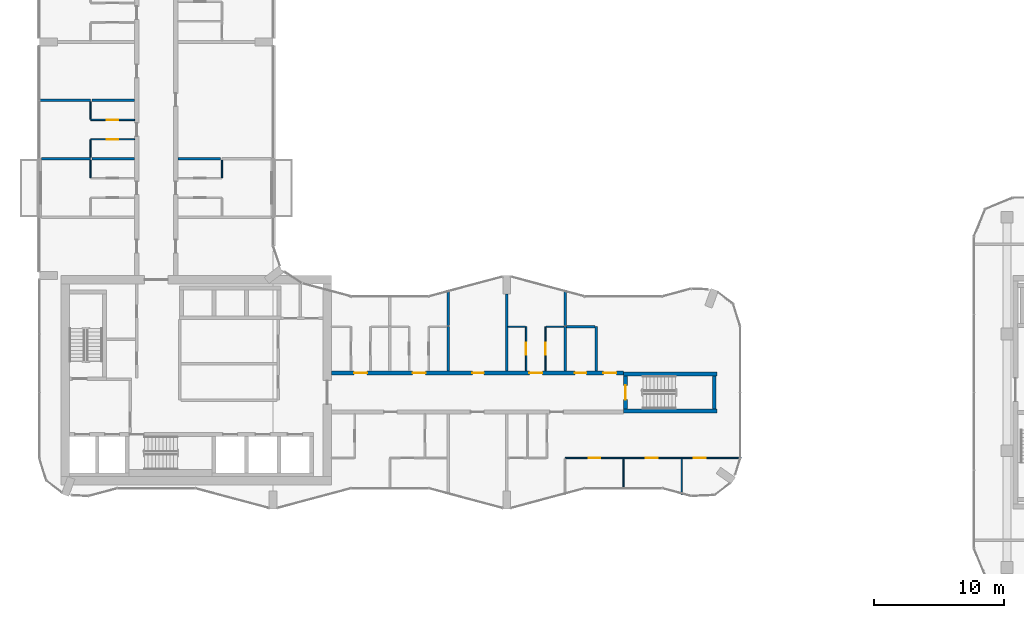
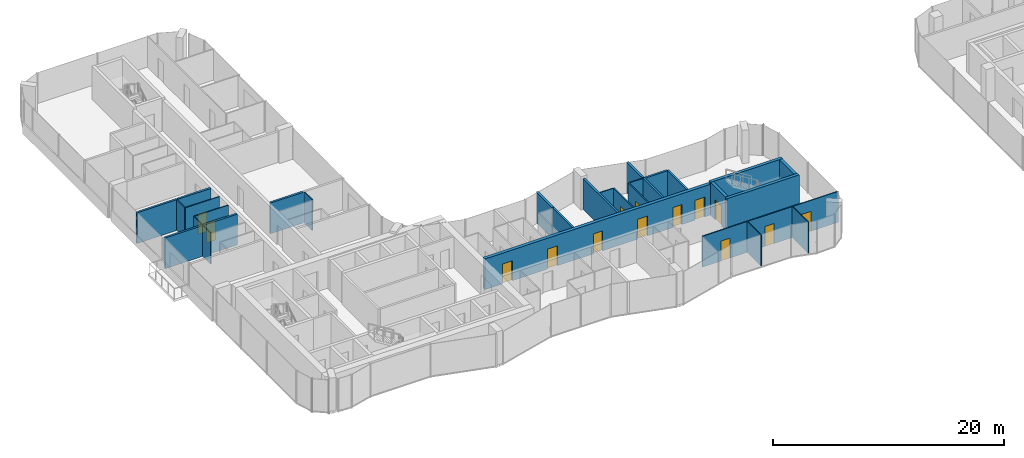
# One storey, part 15 of 22: 30 walls, 14 doors, 14 openings.
"""IFC4 building model written with IfcOpenShell, lengths in metres."""

from ifc_helpers import new_model, si_unit, direction, frame, frame_2d, origin, place, context, subcontext, project, spatial, rectangle, extrude, material, layer, layer_set, type_object, element, fill, save


model = new_model("IFC4")

# Units and contexts
model_context = context("Model", 3, precision=1e-05, world=origin(), true_north=direction((0.0, 1.0)))
body_context = subcontext(model_context, "Body", "Model", "MODEL_VIEW")
ifc_project = project(units=[si_unit("LENGTHUNIT", "METRE"), si_unit("AREAUNIT", "SQUARE_METRE"), si_unit("VOLUMEUNIT", "CUBIC_METRE"), si_unit("PLANEANGLEUNIT", "RADIAN"), si_unit("MASSUNIT", "GRAM", prefix="KILO")], contexts=[model_context])

# Site, building, storey
site_placement = place(None, origin())
site = spatial("IfcSite", under=ifc_project, at=site_placement, CompositionType="ELEMENT")
building_placement = place(site_placement, origin())
building = spatial("IfcBuilding", under=site, at=building_placement, Name="Plateau Cross Towers", CompositionType="ELEMENT")
storey_placement = place(building_placement, frame((0.0, 0.0, 99.300048828125)))
storey = spatial("IfcBuildingStorey", under=building, at=storey_placement, Name="L25", CompositionType="ELEMENT", Elevation=99.300048828125)

# Wall, openings, doors
ifc_material_1 = material(Name="Concrete C60/75", Category="concrete")
ifc_layer_1 = layer(ifc_material_1, 0.324951171875)
ifc_layer_set_1 = layer_set([ifc_layer_1], Name="Concrete C60/75")
wall_type_1 = type_object("IfcWallType", Name="Corridor wall 325", PredefinedType="SHEAR", material=ifc_layer_set_1)
wall_1_placement = place(storey_placement, frame((22.5, 10.5, 0.0), z_axis=(0.0, 0.0, 1.0), x_axis=(1.0, 0.0, 0.0)))
wall_1 = element("IfcWall", 1, at=wall_1_placement, inside=storey, type_object=wall_type_1, Name="A-cw-S2@L25", PredefinedType="SHEAR", context=body_context, shape_type="SweptSolid", body=[
    extrude(rectangle(XDim=22.5, YDim=0.324951171875, at=frame_2d((11.25, 0.0))), origin(), (0.0, 0.0, 1.0), 3.25),
])
opening_1_placement = place(wall_1_placement, frame((1.75, 0.0, 0.0)))
opening_1 = element("IfcOpeningElement", 2, at=opening_1_placement, cuts=wall_1, Name="Opening 25-04", PredefinedType="OPENING", context=body_context, shape_type="SweptSolid", body=[
    extrude(rectangle(XDim=1.0, YDim=2.10009765625, at=frame_2d((0.5, 1.050048828125))), frame((0.0, 0.17236328125, 0.0), z_axis=(0.0, -1.0, 0.0), x_axis=(1.0, 0.0, 0.0)), (0.0, 0.0, 1.0), 0.344970703125),
])
opening_2_placement = place(wall_1_placement, frame((6.25, 0.0, 0.0)))
opening_2 = element("IfcOpeningElement", 3, at=opening_2_placement, cuts=wall_1, Name="Opening 25-05", PredefinedType="OPENING", context=body_context, shape_type="SweptSolid", body=[
    extrude(rectangle(XDim=1.0, YDim=2.10009765625, at=frame_2d((0.5, 1.050048828125))), frame((0.0, 0.17236328125, 0.0), z_axis=(0.0, -1.0, 0.0), x_axis=(1.0, 0.0, 0.0)), (0.0, 0.0, 1.0), 0.344970703125),
])
opening_3_placement = place(wall_1_placement, frame((10.85009765625, 0.0, 0.0)))
opening_3 = element("IfcOpeningElement", 4, at=opening_3_placement, cuts=wall_1, Name="Opening 25-06", PredefinedType="OPENING", context=body_context, shape_type="SweptSolid", body=[
    extrude(rectangle(XDim=0.89990234375, YDim=2.10009765625, at=frame_2d((0.449951171875, 1.050048828125))), frame((0.0, 0.17236328125, 0.0), z_axis=(0.0, -1.0, 0.0), x_axis=(1.0, 0.0, 0.0)), (0.0, 0.0, 1.0), 0.344970703125),
])
opening_4_placement = place(wall_1_placement, frame((15.25, 0.0, 0.0)))
opening_4 = element("IfcOpeningElement", 5, at=opening_4_placement, cuts=wall_1, Name="Opening 25-07", PredefinedType="OPENING", context=body_context, shape_type="SweptSolid", body=[
    extrude(rectangle(XDim=1.0, YDim=2.10009765625, at=frame_2d((0.5, 1.050048828125))), frame((0.0, 0.17236328125, 0.0), z_axis=(0.0, -1.0, 0.0), x_axis=(1.0, 0.0, 0.0)), (0.0, 0.0, 1.0), 0.344970703125),
])
opening_5_placement = place(wall_1_placement, frame((18.75, 0.0, 0.0)))
opening_5 = element("IfcOpeningElement", 6, at=opening_5_placement, cuts=wall_1, Name="Opening 25-08", PredefinedType="OPENING", context=body_context, shape_type="SweptSolid", body=[
    extrude(rectangle(XDim=0.89990234375, YDim=2.10009765625, at=frame_2d((0.449951171875, 1.050048828125))), frame((0.0, 0.17236328125, 0.0), z_axis=(0.0, -1.0, 0.0), x_axis=(1.0, 0.0, 0.0)), (0.0, 0.0, 1.0), 0.344970703125),
])
opening_6_placement = place(wall_1_placement, frame((20.949951171875, 0.0, 0.0)))
opening_6 = element("IfcOpeningElement", 7, at=opening_6_placement, cuts=wall_1, Name="Opening 25-09", PredefinedType="OPENING", context=body_context, shape_type="SweptSolid", body=[
    extrude(rectangle(XDim=1.0, YDim=2.10009765625, at=frame_2d((0.5, 1.050048828125))), frame((0.0, 0.17236328125, 0.0), z_axis=(0.0, -1.0, 0.0), x_axis=(1.0, 0.0, 0.0)), (0.0, 0.0, 1.0), 0.344970703125),
])
ifc_material_2 = material(Name="Timber, fire-resisting leaf", Category="wood")
door_type_1 = type_object("IfcDoorType", Name="Flat entrance door 1000", OperationType="NOTDEFINED", PredefinedType="DOOR", material=ifc_material_2)
door_1_placement = place(opening_1_placement, origin())
door_1 = element("IfcDoor", 8, at=door_1_placement, inside=storey, type_object=door_type_1, Name="Door 25-04", OperationType="SINGLE_SWING_LEFT", OverallHeight=2.10009765625, OverallWidth=1.0, PredefinedType="DOOR", context=body_context, shape_type="SweptSolid", body=[
    extrude(rectangle(XDim=1.0, YDim=2.10009765625, at=frame_2d((0.5, 1.050048828125))), frame((0.0, 0.02490234375, 0.0), z_axis=(0.0, -1.0, 0.0), x_axis=(1.0, 0.0, 0.0)), (0.0, 0.0, 1.0), 0.050048828125),
])
fill(opening_1, door_1)
door_2_placement = place(opening_2_placement, origin())
door_2 = element("IfcDoor", 9, at=door_2_placement, inside=storey, type_object=door_type_1, Name="Door 25-05", OperationType="SINGLE_SWING_LEFT", OverallHeight=2.10009765625, OverallWidth=1.0, PredefinedType="DOOR", context=body_context, shape_type="SweptSolid", body=[
    extrude(rectangle(XDim=1.0, YDim=2.10009765625, at=frame_2d((0.5, 1.050048828125))), frame((0.0, 0.02490234375, 0.0), z_axis=(0.0, -1.0, 0.0), x_axis=(1.0, 0.0, 0.0)), (0.0, 0.0, 1.0), 0.050048828125),
])
fill(opening_2, door_2)
door_3_placement = place(opening_4_placement, origin())
door_3 = element("IfcDoor", 10, at=door_3_placement, inside=storey, type_object=door_type_1, Name="Door 25-07", OperationType="SINGLE_SWING_RIGHT", OverallHeight=2.10009765625, OverallWidth=1.0, PredefinedType="DOOR", context=body_context, shape_type="SweptSolid", body=[
    extrude(rectangle(XDim=1.0, YDim=2.10009765625, at=frame_2d((0.5, 1.050048828125))), frame((0.0, 0.02490234375, 0.0), z_axis=(0.0, -1.0, 0.0), x_axis=(1.0, 0.0, 0.0)), (0.0, 0.0, 1.0), 0.050048828125),
])
fill(opening_4, door_3)
door_4_placement = place(opening_6_placement, origin())
door_4 = element("IfcDoor", 11, at=door_4_placement, inside=storey, type_object=door_type_1, Name="Door 25-09", OperationType="SINGLE_SWING_RIGHT", OverallHeight=2.10009765625, OverallWidth=1.0, PredefinedType="DOOR", context=body_context, shape_type="SweptSolid", body=[
    extrude(rectangle(XDim=1.0, YDim=2.10009765625, at=frame_2d((0.5, 1.050048828125))), frame((0.0, 0.02490234375, 0.0), z_axis=(0.0, -1.0, 0.0), x_axis=(1.0, 0.0, 0.0)), (0.0, 0.0, 1.0), 0.050048828125),
])
fill(opening_6, door_4)
door_type_2 = type_object("IfcDoorType", Name="Flat floor service door 900", OperationType="NOTDEFINED", PredefinedType="DOOR", material=ifc_material_2)
door_5_placement = place(opening_3_placement, origin())
door_5 = element("IfcDoor", 12, at=door_5_placement, inside=storey, type_object=door_type_2, Name="Door 25-06", OperationType="SINGLE_SWING_RIGHT", OverallHeight=2.10009765625, OverallWidth=0.89990234375, PredefinedType="DOOR", context=body_context, shape_type="SweptSolid", body=[
    extrude(rectangle(XDim=0.89990234375, YDim=2.10009765625, at=frame_2d((0.449951171875, 1.050048828125))), frame((0.0, 0.02490234375, 0.0), z_axis=(0.0, -1.0, 0.0), x_axis=(1.0, 0.0, 0.0)), (0.0, 0.0, 1.0), 0.050048828125),
])
fill(opening_3, door_5)
door_6_placement = place(opening_5_placement, origin())
door_6 = element("IfcDoor", 13, at=door_6_placement, inside=storey, type_object=door_type_2, Name="Door 25-08", OperationType="SINGLE_SWING_RIGHT", OverallHeight=2.10009765625, OverallWidth=0.89990234375, PredefinedType="DOOR", context=body_context, shape_type="SweptSolid", body=[
    extrude(rectangle(XDim=0.89990234375, YDim=2.10009765625, at=frame_2d((0.449951171875, 1.050048828125))), frame((0.0, 0.02490234375, 0.0), z_axis=(0.0, -1.0, 0.0), x_axis=(1.0, 0.0, 0.0)), (0.0, 0.0, 1.0), 0.050048828125),
])
fill(opening_5, door_6)

ifc_material_3 = material(Name="Gypsum board on steel studs", Category="steel")
ifc_layer_2 = layer(ifc_material_3, 0.10009765625)
ifc_layer_set_2 = layer_set([ifc_layer_2], Name="Gypsum board on steel studs")
wall_type_2 = type_object("IfcWallType", Name="Flat partition 100", PredefinedType="PARTITIONING", material=ifc_layer_set_2)
wall_2_placement = place(storey_placement, frame((54.080078125, 3.9375, 0.0), z_axis=(0.0, 0.0, 1.0), x_axis=(-1.0, 0.0, 0.0)))
wall_2 = element("IfcWall", 14, at=wall_2_placement, inside=storey, type_object=wall_type_2, Name="Partition wall", PredefinedType="PARTITIONING", context=body_context, shape_type="SweptSolid", body=[
    extrude(rectangle(XDim=13.580078125, YDim=0.10009765625, at=frame_2d((6.7900390625, 0.0))), origin(), (0.0, 0.0, 1.0), 3.25),
])
opening_7_placement = place(wall_2_placement, frame((10.85009765625, 0.0, 0.0)))
opening_7 = element("IfcOpeningElement", 15, at=opening_7_placement, cuts=wall_2, Name="Opening 25-26", PredefinedType="OPENING", context=body_context, shape_type="SweptSolid", body=[
    extrude(rectangle(XDim=0.89990234375, YDim=2.10009765625, at=frame_2d((0.449951171875, 1.050048828125))), frame((0.0, 0.06005859375, 0.0), z_axis=(0.0, -1.0, 0.0), x_axis=(1.0, 0.0, 0.0)), (0.0, 0.0, 1.0), 0.1201171875),
])
opening_8_placement = place(wall_2_placement, frame((6.449951171875, 0.0, 0.0)))
opening_8 = element("IfcOpeningElement", 16, at=opening_8_placement, cuts=wall_2, Name="Opening 25-27", PredefinedType="OPENING", context=body_context, shape_type="SweptSolid", body=[
    extrude(rectangle(XDim=0.89990234375, YDim=2.10009765625, at=frame_2d((0.449951171875, 1.050048828125))), frame((0.0, 0.06005859375, 0.0), z_axis=(0.0, -1.0, 0.0), x_axis=(1.0, 0.0, 0.0)), (0.0, 0.0, 1.0), 0.1201171875),
])
opening_9_placement = place(wall_2_placement, frame((2.75, 0.0, 0.0)))
opening_9 = element("IfcOpeningElement", 17, at=opening_9_placement, cuts=wall_2, Name="Opening 25-28", PredefinedType="OPENING", context=body_context, shape_type="SweptSolid", body=[
    extrude(rectangle(XDim=0.89990234375, YDim=2.10009765625, at=frame_2d((0.449951171875, 1.050048828125))), frame((0.0, 0.06005859375, 0.0), z_axis=(0.0, -1.0, 0.0), x_axis=(1.0, 0.0, 0.0)), (0.0, 0.0, 1.0), 0.1201171875),
])
ifc_material_4 = material(Name="Timber leaf", Category="wood")
door_type_3 = type_object("IfcDoorType", Name="Flat room door 900", OperationType="NOTDEFINED", PredefinedType="DOOR", material=ifc_material_4)
door_7_placement = place(opening_7_placement, origin())
door_7 = element("IfcDoor", 18, at=door_7_placement, inside=storey, type_object=door_type_3, Name="Door 25-26", OperationType="SINGLE_SWING_RIGHT", OverallHeight=2.10009765625, OverallWidth=0.89990234375, PredefinedType="DOOR", context=body_context, shape_type="SweptSolid", body=[
    extrude(rectangle(XDim=0.89990234375, YDim=2.10009765625, at=frame_2d((0.449951171875, 1.050048828125))), frame((0.0, 0.02490234375, 0.0), z_axis=(0.0, -1.0, 0.0), x_axis=(1.0, 0.0, 0.0)), (0.0, 0.0, 1.0), 0.050048828125),
])
fill(opening_7, door_7)
door_8_placement = place(opening_8_placement, origin())
door_8 = element("IfcDoor", 19, at=door_8_placement, inside=storey, type_object=door_type_3, Name="Door 25-27", OperationType="SINGLE_SWING_RIGHT", OverallHeight=2.10009765625, OverallWidth=0.89990234375, PredefinedType="DOOR", context=body_context, shape_type="SweptSolid", body=[
    extrude(rectangle(XDim=0.89990234375, YDim=2.10009765625, at=frame_2d((0.449951171875, 1.050048828125))), frame((0.0, 0.02490234375, 0.0), z_axis=(0.0, -1.0, 0.0), x_axis=(1.0, 0.0, 0.0)), (0.0, 0.0, 1.0), 0.050048828125),
])
fill(opening_8, door_8)
door_9_placement = place(opening_9_placement, origin())
door_9 = element("IfcDoor", 20, at=door_9_placement, inside=storey, type_object=door_type_3, Name="Door 25-28", OperationType="SINGLE_SWING_LEFT", OverallHeight=2.10009765625, OverallWidth=0.89990234375, PredefinedType="DOOR", context=body_context, shape_type="SweptSolid", body=[
    extrude(rectangle(XDim=0.89990234375, YDim=2.10009765625, at=frame_2d((0.449951171875, 1.050048828125))), frame((0.0, 0.02490234375, 0.0), z_axis=(0.0, -1.0, 0.0), x_axis=(1.0, 0.0, 0.0)), (0.0, 0.0, 1.0), 0.050048828125),
])
fill(opening_9, door_9)

# Walls
for number, where, z_axis, x_axis, name in (
    (21, (37.449951171875, 14.0625, 0.0), (0.0, 0.0, 1.0), (-1.0, 0.0, 0.0), "Partition wall"),
    (22, (40.39990234375, 14.0625, 0.0), (0.0, 0.0, 1.0), (-1.0, 0.0, 0.0), "Partition wall"),
):
    element("IfcWall", number, at=place(storey_placement, frame(where, z_axis=z_axis, x_axis=x_axis)), inside=storey, type_object=wall_type_2, Name=name, PredefinedType="PARTITIONING", context=body_context, shape_type="SweptSolid", body=[
        extrude(rectangle(XDim=1.349853515625, YDim=0.10009765625, at=frame_2d((0.6748046875, 0.0))), origin(), (0.0, 0.0, 1.0), 3.25),
    ])

# Wall, opening, door
wall_3_placement = place(storey_placement, frame((7.33740234375, 28.5, 0.0), z_axis=(0.0, 0.0, 1.0), x_axis=(-1.0, 0.0, 0.0)))
wall_3 = element("IfcWall", 23, at=wall_3_placement, inside=storey, type_object=wall_type_2, Name="Partition wall", PredefinedType="PARTITIONING", context=body_context, shape_type="SweptSolid", body=[
    extrude(rectangle(XDim=3.39990234375, YDim=0.10009765625, at=frame_2d((1.699951171875, 0.0))), origin(), (0.0, 0.0, 1.0), 3.25),
])
opening_10_placement = place(wall_3_placement, frame((1.25, 0.0, 0.0)))
opening_10 = element("IfcOpeningElement", 24, at=opening_10_placement, cuts=wall_3, Name="Opening 25-37", PredefinedType="OPENING", context=body_context, shape_type="SweptSolid", body=[
    extrude(rectangle(XDim=0.89990234375, YDim=2.10009765625, at=frame_2d((0.449951171875, 1.050048828125))), frame((0.0, 0.06005859375, 0.0), z_axis=(0.0, -1.0, 0.0), x_axis=(1.0, 0.0, 0.0)), (0.0, 0.0, 1.0), 0.1201171875),
])
door_10_placement = place(opening_10_placement, origin())
door_10 = element("IfcDoor", 25, at=door_10_placement, inside=storey, type_object=door_type_3, Name="Door 25-37", OperationType="SINGLE_SWING_LEFT", OverallHeight=2.10009765625, OverallWidth=0.89990234375, PredefinedType="DOOR", context=body_context, shape_type="SweptSolid", body=[
    extrude(rectangle(XDim=0.89990234375, YDim=2.10009765625, at=frame_2d((0.449951171875, 1.050048828125))), frame((0.0, 0.02490234375, 0.0), z_axis=(0.0, -1.0, 0.0), x_axis=(1.0, 0.0, 0.0)), (0.0, 0.0, 1.0), 0.050048828125),
])
fill(opening_10, door_10)

wall_4_placement = place(storey_placement, frame((3.9375, 30.0, 0.0), z_axis=(0.0, 0.0, 1.0), x_axis=(1.0, 0.0, 0.0)))
wall_4 = element("IfcWall", 26, at=wall_4_placement, inside=storey, type_object=wall_type_2, Name="Partition wall", PredefinedType="PARTITIONING", context=body_context, shape_type="SweptSolid", body=[
    extrude(rectangle(XDim=3.39990234375, YDim=0.10009765625, at=frame_2d((1.699951171875, 0.0))), origin(), (0.0, 0.0, 1.0), 3.25),
])
opening_11_placement = place(wall_4_placement, frame((1.25, 0.0, 0.0)))
opening_11 = element("IfcOpeningElement", 27, at=opening_11_placement, cuts=wall_4, Name="Opening 25-38", PredefinedType="OPENING", context=body_context, shape_type="SweptSolid", body=[
    extrude(rectangle(XDim=0.89990234375, YDim=2.10009765625, at=frame_2d((0.449951171875, 1.050048828125))), frame((0.0, 0.06005859375, 0.0), z_axis=(0.0, -1.0, 0.0), x_axis=(1.0, 0.0, 0.0)), (0.0, 0.0, 1.0), 0.1201171875),
])
door_11_placement = place(opening_11_placement, origin())
door_11 = element("IfcDoor", 28, at=door_11_placement, inside=storey, type_object=door_type_3, Name="Door 25-38", OperationType="SINGLE_SWING_LEFT", OverallHeight=2.10009765625, OverallWidth=0.89990234375, PredefinedType="DOOR", context=body_context, shape_type="SweptSolid", body=[
    extrude(rectangle(XDim=0.89990234375, YDim=2.10009765625, at=frame_2d((0.449951171875, 1.050048828125))), frame((0.0, 0.02490234375, 0.0), z_axis=(0.0, -1.0, 0.0), x_axis=(1.0, 0.0, 0.0)), (0.0, 0.0, 1.0), 0.050048828125),
])
fill(opening_11, door_11)

# Walls
for number, where, z_axis, x_axis, name in (
    (29, (3.9375, 26.89990234375, 0.0), (0.0, 0.0, 1.0), (0.0, -1.0, 0.0), "Partition wall"),
    (30, (3.9375, 28.449951171875, 0.0), (0.0, 0.0, 1.0), (0.0, -1.0, 0.0), "Partition wall"),
    (31, (3.9375, 31.39990234375, 0.0), (0.0, 0.0, 1.0), (0.0, -1.0, 0.0), "Partition wall"),
    (32, (14.0625, 25.550048828125, 0.0), (0.0, 0.0, 1.0), (0.0, 1.0, 0.0), "Partition wall"),
):
    element("IfcWall", number, at=place(storey_placement, frame(where, z_axis=z_axis, x_axis=x_axis)), inside=storey, type_object=wall_type_2, Name=name, PredefinedType="PARTITIONING", context=body_context, shape_type="SweptSolid", body=[
        extrude(rectangle(XDim=1.349853515625, YDim=0.10009765625, at=frame_2d((0.6748046875, 0.0))), origin(), (0.0, 0.0, 1.0), 3.25),
    ])

# Wall, opening, door
wall_5_placement = place(storey_placement, frame((37.5, 10.66259765625, 0.0), z_axis=(0.0, 0.0, 1.0), x_axis=(0.0, 1.0, 0.0)))
wall_5 = element("IfcWall", 33, at=wall_5_placement, inside=storey, type_object=wall_type_2, Name="Partition wall", PredefinedType="PARTITIONING", context=body_context, shape_type="SweptSolid", body=[
    extrude(rectangle(XDim=3.39990234375, YDim=0.10009765625, at=frame_2d((1.699951171875, 0.0))), origin(), (0.0, 0.0, 1.0), 3.25),
])
opening_12_placement = place(wall_5_placement, frame((1.25, 0.0, 0.0)))
opening_12 = element("IfcOpeningElement", 34, at=opening_12_placement, cuts=wall_5, Name="Opening 25-33", PredefinedType="OPENING", context=body_context, shape_type="SweptSolid", body=[
    extrude(rectangle(XDim=0.89990234375, YDim=2.10009765625, at=frame_2d((0.449951171875, 1.050048828125))), frame((0.0, 0.06005859375, 0.0), z_axis=(0.0, -1.0, 0.0), x_axis=(1.0, 0.0, 0.0)), (0.0, 0.0, 1.0), 0.1201171875),
])
door_12_placement = place(opening_12_placement, origin())
door_12 = element("IfcDoor", 35, at=door_12_placement, inside=storey, type_object=door_type_3, Name="Door 25-33", OperationType="SINGLE_SWING_LEFT", OverallHeight=2.10009765625, OverallWidth=0.89990234375, PredefinedType="DOOR", context=body_context, shape_type="SweptSolid", body=[
    extrude(rectangle(XDim=0.89990234375, YDim=2.10009765625, at=frame_2d((0.449951171875, 1.050048828125))), frame((0.0, 0.02490234375, 0.0), z_axis=(0.0, -1.0, 0.0), x_axis=(1.0, 0.0, 0.0)), (0.0, 0.0, 1.0), 0.050048828125),
])
fill(opening_12, door_12)

wall_6_placement = place(storey_placement, frame((39.0, 14.0625, 0.0), z_axis=(0.0, 0.0, 1.0), x_axis=(0.0, -1.0, 0.0)))
wall_6 = element("IfcWall", 36, at=wall_6_placement, inside=storey, type_object=wall_type_2, Name="Partition wall", PredefinedType="PARTITIONING", context=body_context, shape_type="SweptSolid", body=[
    extrude(rectangle(XDim=3.39990234375, YDim=0.10009765625, at=frame_2d((1.699951171875, 0.0))), origin(), (0.0, 0.0, 1.0), 3.25),
])
opening_13_placement = place(wall_6_placement, frame((1.25, 0.0, 0.0)))
opening_13 = element("IfcOpeningElement", 37, at=opening_13_placement, cuts=wall_6, Name="Opening 25-34", PredefinedType="OPENING", context=body_context, shape_type="SweptSolid", body=[
    extrude(rectangle(XDim=0.89990234375, YDim=2.10009765625, at=frame_2d((0.449951171875, 1.050048828125))), frame((0.0, 0.06005859375, 0.0), z_axis=(0.0, -1.0, 0.0), x_axis=(1.0, 0.0, 0.0)), (0.0, 0.0, 1.0), 0.1201171875),
])
door_13_placement = place(opening_13_placement, origin())
door_13 = element("IfcDoor", 38, at=door_13_placement, inside=storey, type_object=door_type_3, Name="Door 25-34", OperationType="SINGLE_SWING_LEFT", OverallHeight=2.10009765625, OverallWidth=0.89990234375, PredefinedType="DOOR", context=body_context, shape_type="SweptSolid", body=[
    extrude(rectangle(XDim=0.89990234375, YDim=2.10009765625, at=frame_2d((0.449951171875, 1.050048828125))), frame((0.0, 0.02490234375, 0.0), z_axis=(0.0, -1.0, 0.0), x_axis=(1.0, 0.0, 0.0)), (0.0, 0.0, 1.0), 0.050048828125),
])
fill(opening_13, door_13)

# Walls
wall_7_placement = place(storey_placement, frame((45.0, 1.52685546875, 0.0), z_axis=(0.0, 0.0, 1.0), x_axis=(0.0, 1.0, 0.0)))
element("IfcWall", 39, at=wall_7_placement, inside=storey, type_object=wall_type_2, Name="Partition wall", PredefinedType="PARTITIONING", context=body_context, shape_type="SweptSolid", body=[
    extrude(rectangle(XDim=2.360595703125, YDim=0.10009765625, at=frame_2d((1.18017578125, 0.0))), origin(), (0.0, 0.0, 1.0), 3.25),
])
wall_8_placement = place(storey_placement, frame((49.5, 1.122314453125, 0.0), z_axis=(0.0, 0.0, 1.0), x_axis=(0.0, 1.0, 0.0)))
element("IfcWall", 40, at=wall_8_placement, inside=storey, type_object=wall_type_2, Name="Partition wall", PredefinedType="PARTITIONING", context=body_context, shape_type="SweptSolid", body=[
    extrude(rectangle(XDim=2.76513671875, YDim=0.10009765625, at=frame_2d((1.382568359375, 0.0))), origin(), (0.0, 0.0, 1.0), 3.25),
])
ifc_material_5 = material(Name="Gypsum board on steel studs, two layers each side", Category="steel")
ifc_layer_3 = layer(ifc_material_5, 0.199951171875)
ifc_layer_set_3 = layer_set([ifc_layer_3], Name="Gypsum board on steel studs, two layers each side")
wall_type_3 = type_object("IfcWallType", Name="Flat party wall 200", PredefinedType="PARTITIONING", material=ifc_layer_set_3)
wall_9_placement = place(storey_placement, frame((42.800048828125, 14.0625, 0.0), z_axis=(0.0, 0.0, 1.0), x_axis=(-1.0, 0.0, 0.0)))
element("IfcWall", 41, at=wall_9_placement, inside=storey, type_object=wall_type_3, Name="Party wall", PredefinedType="PARTITIONING", context=body_context, shape_type="SweptSolid", body=[
    extrude(rectangle(XDim=2.199951171875, YDim=0.199951171875, at=frame_2d((1.10009765625, 0.0))), origin(), (0.0, 0.0, 1.0), 3.25),
])
for number, where, z_axis, x_axis, name in (
    (42, (7.33740234375, 27.0, 0.0), (0.0, 0.0, 1.0), (-1.0, 0.0, 0.0), "Party wall"),
    (43, (13.96240234375, 27.0, 0.0), (0.0, 0.0, 1.0), (-1.0, 0.0, 0.0), "Party wall"),
):
    element("IfcWall", number, at=place(storey_placement, frame(where, z_axis=z_axis, x_axis=x_axis)), inside=storey, type_object=wall_type_3, Name=name, PredefinedType="PARTITIONING", context=body_context, shape_type="SweptSolid", body=[
        extrude(rectangle(XDim=3.2998046875, YDim=0.199951171875, at=frame_2d((1.64990234375, 0.0))), origin(), (0.0, 0.0, 1.0), 3.25),
    ])
wall_10_placement = place(storey_placement, frame((0.14990234375, 27.0, 0.0), z_axis=(0.0, 0.0, 1.0), x_axis=(1.0, 0.0, 0.0)))
element("IfcWall", 44, at=wall_10_placement, inside=storey, type_object=wall_type_3, Name="Party wall", PredefinedType="PARTITIONING", context=body_context, shape_type="SweptSolid", body=[
    extrude(rectangle(XDim=3.78759765625, YDim=0.199951171875, at=frame_2d((1.893798828125, 0.0))), origin(), (0.0, 0.0, 1.0), 3.25),
])
wall_11_placement = place(storey_placement, frame((7.33740234375, 31.5, 0.0), z_axis=(0.0, 0.0, 1.0), x_axis=(-1.0, 0.0, 0.0)))
element("IfcWall", 45, at=wall_11_placement, inside=storey, type_object=wall_type_3, Name="Party wall", PredefinedType="PARTITIONING", context=body_context, shape_type="SweptSolid", body=[
    extrude(rectangle(XDim=3.2998046875, YDim=0.199951171875, at=frame_2d((1.64990234375, 0.0))), origin(), (0.0, 0.0, 1.0), 3.25),
])
wall_12_placement = place(storey_placement, frame((-0.080078125, 31.5, 0.0), z_axis=(0.0, 0.0, 1.0), x_axis=(1.0, 0.0, 0.0)))
element("IfcWall", 46, at=wall_12_placement, inside=storey, type_object=wall_type_3, Name="Party wall", PredefinedType="PARTITIONING", context=body_context, shape_type="SweptSolid", body=[
    extrude(rectangle(XDim=4.017578125, YDim=0.199951171875, at=frame_2d((2.0087890625, 0.0))), origin(), (0.0, 0.0, 1.0), 3.25),
])
wall_13_placement = place(storey_placement, frame((31.5, 16.877685546875, 0.0), z_axis=(0.0, 0.0, 1.0), x_axis=(0.0, -1.0, 0.0)))
element("IfcWall", 47, at=wall_13_placement, inside=storey, type_object=wall_type_3, Name="Party wall", PredefinedType="PARTITIONING", context=body_context, shape_type="SweptSolid", body=[
    extrude(rectangle(XDim=2.715087890625, YDim=0.199951171875, at=frame_2d((1.357421875, 0.0))), origin(), (0.0, 0.0, 1.0), 3.25),
])
wall_14_placement = place(storey_placement, frame((31.5, 10.66259765625, 0.0), z_axis=(0.0, 0.0, 1.0), x_axis=(0.0, 1.0, 0.0)))
element("IfcWall", 48, at=wall_14_placement, inside=storey, type_object=wall_type_3, Name="Party wall", PredefinedType="PARTITIONING", context=body_context, shape_type="SweptSolid", body=[
    extrude(rectangle(XDim=3.39990234375, YDim=0.199951171875, at=frame_2d((1.699951171875, 0.0))), origin(), (0.0, 0.0, 1.0), 3.25),
])
wall_15_placement = place(storey_placement, frame((36.0, 10.66259765625, 0.0), z_axis=(0.0, 0.0, 1.0), x_axis=(0.0, 1.0, 0.0)))
element("IfcWall", 49, at=wall_15_placement, inside=storey, type_object=wall_type_3, Name="Party wall", PredefinedType="PARTITIONING", context=body_context, shape_type="SweptSolid", body=[
    extrude(rectangle(XDim=5.9375, YDim=0.199951171875, at=frame_2d((2.96875, 0.0))), origin(), (0.0, 0.0, 1.0), 3.25),
])
wall_16_placement = place(storey_placement, frame((40.5, 16.877685546875, 0.0), z_axis=(0.0, 0.0, 1.0), x_axis=(0.0, -1.0, 0.0)))
element("IfcWall", 50, at=wall_16_placement, inside=storey, type_object=wall_type_3, Name="Party wall", PredefinedType="PARTITIONING", context=body_context, shape_type="SweptSolid", body=[
    extrude(rectangle(XDim=2.715087890625, YDim=0.199951171875, at=frame_2d((1.357421875, 0.0))), origin(), (0.0, 0.0, 1.0), 3.25),
])
for number, where, z_axis, x_axis, name in (
    (51, (40.5, 10.66259765625, 0.0), (0.0, 0.0, 1.0), (0.0, 1.0, 0.0), "Party wall"),
    (52, (42.89990234375, 10.66259765625, 0.0), (0.0, 0.0, 1.0), (0.0, 1.0, 0.0), "Party wall"),
):
    element("IfcWall", number, at=place(storey_placement, frame(where, z_axis=z_axis, x_axis=x_axis)), inside=storey, type_object=wall_type_3, Name=name, PredefinedType="PARTITIONING", context=body_context, shape_type="SweptSolid", body=[
        extrude(rectangle(XDim=3.39990234375, YDim=0.199951171875, at=frame_2d((1.699951171875, 0.0))), origin(), (0.0, 0.0, 1.0), 3.25),
    ])

# Wall, opening, door
ifc_layer_4 = layer(ifc_material_1, 0.300048828125)
ifc_layer_set_4 = layer_set([ifc_layer_4], Name="Concrete C60/75")
wall_type_4 = type_object("IfcWallType", Name="Stair tower wall 300", PredefinedType="SHEAR", material=ifc_layer_set_4)
wall_17_placement = place(storey_placement, frame((45.14990234375, 7.72509765625, 0.0), z_axis=(0.0, 0.0, 1.0), x_axis=(0.0, 1.0, 0.0)))
wall_17 = element("IfcWall", 53, at=wall_17_placement, inside=storey, type_object=wall_type_4, Name="A-end-E-W@L25", PredefinedType="SHEAR", context=body_context, shape_type="SweptSolid", body=[
    extrude(rectangle(XDim=2.5498046875, YDim=0.300048828125, at=frame_2d((1.27490234375, 0.0))), origin(), (0.0, 0.0, 1.0), 3.5),
])
opening_14_placement = place(wall_17_placement, frame((0.72509765625, 0.0, 0.0)))
opening_14 = element("IfcOpeningElement", 54, at=opening_14_placement, cuts=wall_17, Name="Opening SD", PredefinedType="OPENING", context=body_context, shape_type="SweptSolid", body=[
    extrude(rectangle(XDim=1.10009765625, YDim=2.10009765625, at=frame_2d((0.550048828125, 1.050048828125))), frame((0.0, 0.159912109375, 0.0), z_axis=(0.0, -1.0, 0.0), x_axis=(1.0, 0.0, 0.0)), (0.0, 0.0, 1.0), 0.320068359375),
])
ifc_material_6 = material(Name="Steel, fire-resisting leaf", Category="steel")
door_type_4 = type_object("IfcDoorType", Name="Stair door 1100", OperationType="NOTDEFINED", PredefinedType="DOOR", material=ifc_material_6)
door_14_placement = place(opening_14_placement, origin())
door_14 = element("IfcDoor", 55, at=door_14_placement, inside=storey, type_object=door_type_4, Name="Stair door SD", OperationType="SINGLE_SWING_LEFT", OverallHeight=2.10009765625, OverallWidth=1.10009765625, PredefinedType="DOOR", context=body_context, shape_type="SweptSolid", body=[
    extrude(rectangle(XDim=1.10009765625, YDim=2.10009765625, at=frame_2d((0.550048828125, 1.050048828125))), frame((0.0, 0.02490234375, 0.0), z_axis=(0.0, -1.0, 0.0), x_axis=(1.0, 0.0, 0.0)), (0.0, 0.0, 1.0), 0.050048828125),
])
fill(opening_14, door_14)

# Walls
wall_18_placement = place(storey_placement, frame((52.0, 7.72509765625, 0.0), z_axis=(0.0, 0.0, 1.0), x_axis=(0.0, 1.0, 0.0)))
element("IfcWall", 56, at=wall_18_placement, inside=storey, type_object=wall_type_4, Name="A-end-E-E@L25", PredefinedType="SHEAR", context=body_context, shape_type="SweptSolid", body=[
    extrude(rectangle(XDim=2.5498046875, YDim=0.300048828125, at=frame_2d((1.27490234375, 0.0))), origin(), (0.0, 0.0, 1.0), 3.5),
])
for number, where, z_axis, x_axis, name in (
    (57, (45.0, 7.574951171875, 0.0), (0.0, 0.0, 1.0), (1.0, 0.0, 0.0), "A-end-E-S@L25"),
    (58, (45.0, 10.425048828125, 0.0), (0.0, 0.0, 1.0), (1.0, 0.0, 0.0), "A-end-E-N@L25"),
):
    element("IfcWall", number, at=place(storey_placement, frame(where, z_axis=z_axis, x_axis=x_axis)), inside=storey, type_object=wall_type_4, Name=name, PredefinedType="SHEAR", context=body_context, shape_type="SweptSolid", body=[
        extrude(rectangle(XDim=7.199951171875, YDim=0.300048828125, at=frame_2d((3.60009765625, 0.0))), origin(), (0.0, 0.0, 1.0), 3.5),
    ])

save(model, "model.ifc")
